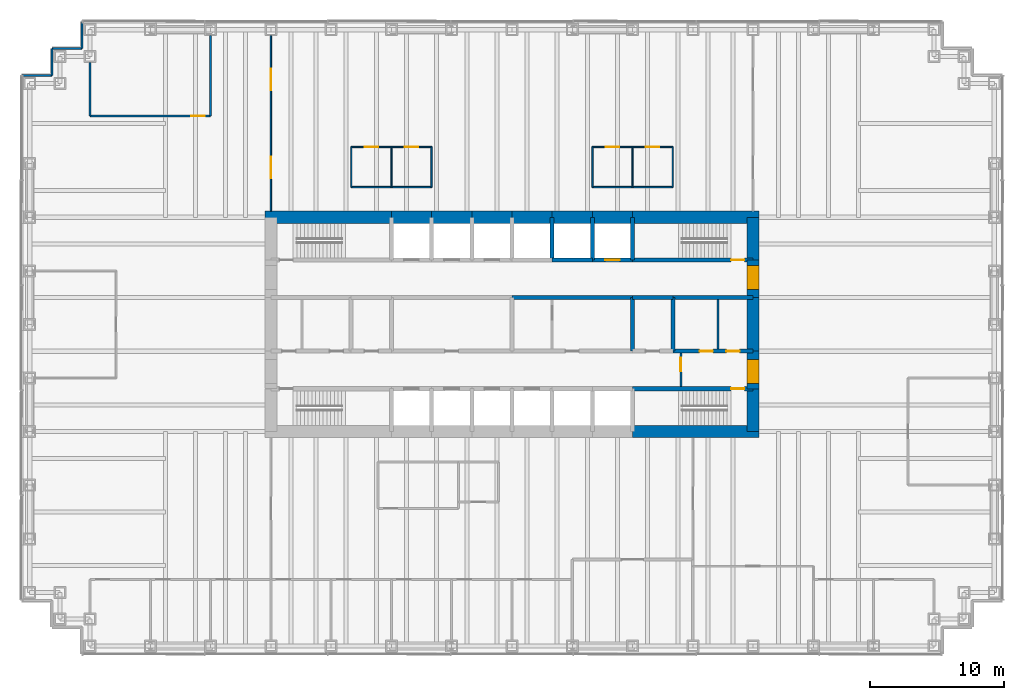
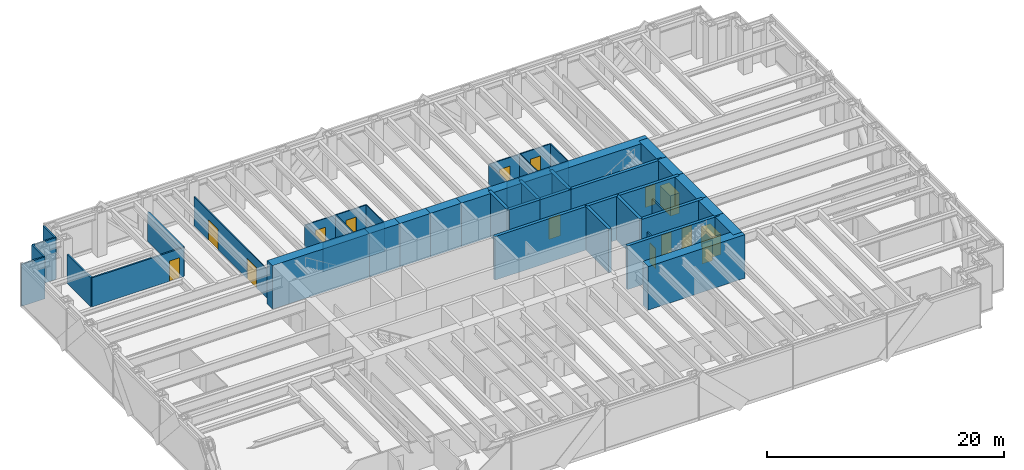
# One storey, part 11 of 13: 47 walls, 15 doors, 15 openings.
"""IFC4 building model written with IfcOpenShell, lengths in metres."""

from ifc_helpers import new_model, si_unit, direction, frame, frame_2d, origin, place, context, subcontext, project, spatial, rectangle, extrude, material, layer, layer_set, type_object, element, fill, save


model = new_model("IFC4")

# Units and contexts
model_context = context("Model", 3, precision=1e-05, world=origin(), true_north=direction((0.0, 1.0)))
body_context = subcontext(model_context, "Body", "Model", "MODEL_VIEW")
ifc_project = project(units=[si_unit("LENGTHUNIT", "METRE"), si_unit("AREAUNIT", "SQUARE_METRE"), si_unit("VOLUMEUNIT", "CUBIC_METRE"), si_unit("PLANEANGLEUNIT", "RADIAN"), si_unit("MASSUNIT", "GRAM", prefix="KILO")], contexts=[model_context])

# Site, building, storey
site_placement = place(None, origin())
site = spatial("IfcSite", under=ifc_project, at=site_placement, CompositionType="ELEMENT")
building_placement = place(site_placement, origin())
building = spatial("IfcBuilding", under=site, at=building_placement, Name="Rheinbord Bourse Tower", CompositionType="ELEMENT")
storey_placement = place(building_placement, frame((0.0, 0.0, 86.0)))
storey = spatial("IfcBuildingStorey", under=building, at=storey_placement, Name="L18", CompositionType="ELEMENT", Elevation=86.0)

# Wall, opening, door
ifc_material_1 = material(Name="Concrete C50/60", Category="concrete")
ifc_layer_1 = layer(ifc_material_1, 0.300048828125)
ifc_layer_set_1 = layer_set([ifc_layer_1], Name="CORE INNER WALL 300")
wall_type_1 = type_object("IfcWallType", Name="CORE INNER WALL 300", PredefinedType="SOLIDWALL", material=ifc_layer_set_1)
wall_1_placement = place(storey_placement, frame((45.0, 19.199951171875, 0.0), z_axis=(0.0, 0.0, 1.0), x_axis=(1.0, 0.0, 0.0)))
wall_1 = element("IfcWall", 1, at=wall_1_placement, inside=storey, type_object=wall_type_1, Name="Core wall A8 L18", PredefinedType="SOLIDWALL", context=body_context, shape_type="SweptSolid", body=[
    extrude(rectangle(XDim=9.0, YDim=0.300048828125, at=frame_2d((4.5, 0.0))), origin(), (0.0, 0.0, 1.0), 4.5),
])
opening_1_placement = place(wall_1_placement, frame((7.35009765625, 0.0, 0.0)))
opening_1 = element("IfcOpeningElement", 2, at=opening_1_placement, cuts=wall_1, Name="Opening 1830", PredefinedType="OPENING", context=body_context, shape_type="SweptSolid", body=[
    extrude(rectangle(XDim=1.0, YDim=2.10009765625, at=frame_2d((0.5, 1.050048828125))), frame((0.0, 0.159912109375, 0.0), z_axis=(0.0, -1.0, 0.0), x_axis=(1.0, 0.0, 0.0)), (0.0, 0.0, 1.0), 0.320068359375),
])
ifc_material_2 = material(Name="Steel door", Category="steel")
door_type_1 = type_object("IfcDoorType", Name="DOOR 1000 EI30", OperationType="SINGLE_SWING_LEFT", PredefinedType="DOOR", material=ifc_material_2)
door_1_placement = place(opening_1_placement, origin())
door_1 = element("IfcDoor", 3, at=door_1_placement, inside=storey, type_object=door_type_1, Name="Stair door ST3 L18", OperationType="SINGLE_SWING_RIGHT", OverallHeight=2.10009765625, OverallWidth=1.0, PredefinedType="DOOR", context=body_context, shape_type="SweptSolid", body=[
    extrude(rectangle(XDim=1.0, YDim=2.10009765625, at=frame_2d((0.5, 1.050048828125))), frame((0.0, 0.02490234375, 0.0), z_axis=(0.0, -1.0, 0.0), x_axis=(1.0, 0.0, 0.0)), (0.0, 0.0, 1.0), 0.050048828125),
])
fill(opening_1, door_1)

# Wall
wall_2_placement = place(storey_placement, frame((39.0, 28.800048828125, 0.0), z_axis=(0.0, 0.0, 1.0), x_axis=(1.0, 0.0, 0.0)))
element("IfcWall", 4, at=wall_2_placement, inside=storey, type_object=wall_type_1, Name="Core wall B6 L18", PredefinedType="SOLIDWALL", context=body_context, shape_type="SweptSolid", body=[
    extrude(rectangle(XDim=3.0, YDim=0.300048828125, at=frame_2d((1.5, 0.0))), origin(), (0.0, 0.0, 1.0), 4.5),
])

# Wall, opening, door
wall_3_placement = place(storey_placement, frame((42.0, 28.800048828125, 0.0), z_axis=(0.0, 0.0, 1.0), x_axis=(1.0, 0.0, 0.0)))
wall_3 = element("IfcWall", 5, at=wall_3_placement, inside=storey, type_object=wall_type_1, Name="Core wall B7 L18", PredefinedType="SOLIDWALL", context=body_context, shape_type="SweptSolid", body=[
    extrude(rectangle(XDim=3.0, YDim=0.300048828125, at=frame_2d((1.5, 0.0))), origin(), (0.0, 0.0, 1.0), 4.5),
])
opening_2_placement = place(wall_3_placement, frame((0.949951171875, 0.0, 0.0)))
opening_2 = element("IfcOpeningElement", 6, at=opening_2_placement, cuts=wall_3, Name="Opening FL2", PredefinedType="OPENING", context=body_context, shape_type="SweptSolid", body=[
    extrude(rectangle(XDim=1.10009765625, YDim=2.199951171875, at=frame_2d((0.550048828125, 1.10009765625))), frame((0.0, 0.159912109375, 0.0), z_axis=(0.0, -1.0, 0.0), x_axis=(1.0, 0.0, 0.0)), (0.0, 0.0, 1.0), 0.320068359375),
])
ifc_material_3 = material(Name="Steel landing door", Category="steel")
door_type_2 = type_object("IfcDoorType", Name="LIFT LANDING DOOR 1100", OperationType="DOUBLE_DOOR_SLIDING", PredefinedType="USERDEFINED", material=ifc_material_3)
door_2_placement = place(opening_2_placement, origin())
door_2 = element("IfcDoor", 7, at=door_2_placement, inside=storey, type_object=door_type_2, Name="Lift landing door FL2 L18", ObjectType="LIFT LANDING DOOR", OperationType="DOUBLE_DOOR_SLIDING", OverallHeight=2.199951171875, OverallWidth=1.10009765625, PredefinedType="USERDEFINED", context=body_context, shape_type="SweptSolid", body=[
    extrude(rectangle(XDim=1.10009765625, YDim=2.199951171875, at=frame_2d((0.550048828125, 1.10009765625))), frame((0.0, 0.02490234375, 0.0), z_axis=(0.0, -1.0, 0.0), x_axis=(1.0, 0.0, 0.0)), (0.0, 0.0, 1.0), 0.050048828125),
])
fill(opening_2, door_2)

wall_4_placement = place(storey_placement, frame((45.0, 28.800048828125, 0.0), z_axis=(0.0, 0.0, 1.0), x_axis=(1.0, 0.0, 0.0)))
wall_4 = element("IfcWall", 8, at=wall_4_placement, inside=storey, type_object=wall_type_1, Name="Core wall B8 L18", PredefinedType="SOLIDWALL", context=body_context, shape_type="SweptSolid", body=[
    extrude(rectangle(XDim=9.0, YDim=0.300048828125, at=frame_2d((4.5, 0.0))), origin(), (0.0, 0.0, 1.0), 4.5),
])
opening_3_placement = place(wall_4_placement, frame((7.35009765625, 0.0, 0.0)))
opening_3 = element("IfcOpeningElement", 9, at=opening_3_placement, cuts=wall_4, Name="Opening 1840", PredefinedType="OPENING", context=body_context, shape_type="SweptSolid", body=[
    extrude(rectangle(XDim=1.0, YDim=2.10009765625, at=frame_2d((0.5, 1.050048828125))), frame((0.0, 0.159912109375, 0.0), z_axis=(0.0, -1.0, 0.0), x_axis=(1.0, 0.0, 0.0)), (0.0, 0.0, 1.0), 0.320068359375),
])
door_3_placement = place(opening_3_placement, origin())
door_3 = element("IfcDoor", 10, at=door_3_placement, inside=storey, type_object=door_type_1, Name="Stair door ST4 L18", OperationType="SINGLE_SWING_RIGHT", OverallHeight=2.10009765625, OverallWidth=1.0, PredefinedType="DOOR", context=body_context, shape_type="SweptSolid", body=[
    extrude(rectangle(XDim=1.0, YDim=2.10009765625, at=frame_2d((0.5, 1.050048828125))), frame((0.0, 0.02490234375, 0.0), z_axis=(0.0, -1.0, 0.0), x_axis=(1.0, 0.0, 0.0)), (0.0, 0.0, 1.0), 0.050048828125),
])
fill(opening_3, door_3)

# Wall, openings, doors
wall_5_placement = place(storey_placement, frame((48.0, 22.0, 0.0), z_axis=(0.0, 0.0, 1.0), x_axis=(1.0, 0.0, 0.0)))
wall_5 = element("IfcWall", 11, at=wall_5_placement, inside=storey, type_object=wall_type_1, Name="Core wall C6 L18", PredefinedType="SOLIDWALL", context=body_context, shape_type="SweptSolid", body=[
    extrude(rectangle(XDim=6.0, YDim=0.300048828125, at=frame_2d((3.0, 0.0))), origin(), (0.0, 0.0, 1.0), 4.5),
])
opening_4_placement = place(wall_5_placement, frame((2.0, 0.0, 0.0)))
opening_4 = element("IfcOpeningElement", 12, at=opening_4_placement, cuts=wall_5, Name="Opening 18R6", PredefinedType="OPENING", context=body_context, shape_type="SweptSolid", body=[
    extrude(rectangle(XDim=1.0, YDim=2.10009765625, at=frame_2d((0.5, 1.050048828125))), frame((0.0, 0.159912109375, 0.0), z_axis=(0.0, -1.0, 0.0), x_axis=(1.0, 0.0, 0.0)), (0.0, 0.0, 1.0), 0.320068359375),
])
opening_5_placement = place(wall_5_placement, frame((4.0, 0.0, 0.0)))
opening_5 = element("IfcOpeningElement", 13, at=opening_5_placement, cuts=wall_5, Name="Opening 18R10", PredefinedType="OPENING", context=body_context, shape_type="SweptSolid", body=[
    extrude(rectangle(XDim=1.0, YDim=2.10009765625, at=frame_2d((0.5, 1.050048828125))), frame((0.0, 0.159912109375, 0.0), z_axis=(0.0, -1.0, 0.0), x_axis=(1.0, 0.0, 0.0)), (0.0, 0.0, 1.0), 0.320068359375),
])
door_4_placement = place(opening_5_placement, origin())
door_4 = element("IfcDoor", 14, at=door_4_placement, inside=storey, type_object=door_type_1, Name="Staff shower door L18", OperationType="SINGLE_SWING_RIGHT", OverallHeight=2.10009765625, OverallWidth=1.0, PredefinedType="DOOR", context=body_context, shape_type="SweptSolid", body=[
    extrude(rectangle(XDim=1.0, YDim=2.10009765625, at=frame_2d((0.5, 1.050048828125))), frame((0.0, 0.02490234375, 0.0), z_axis=(0.0, -1.0, 0.0), x_axis=(1.0, 0.0, 0.0)), (0.0, 0.0, 1.0), 0.050048828125),
])
fill(opening_5, door_4)
ifc_material_4 = material(Name="Timber door", Category="wood")
door_type_3 = type_object("IfcDoorType", Name="DOOR 1000 WC", OperationType="SINGLE_SWING_LEFT", PredefinedType="DOOR", material=ifc_material_4)
door_5_placement = place(opening_4_placement, origin())
door_5 = element("IfcDoor", 15, at=door_5_placement, inside=storey, type_object=door_type_3, Name="WC women door L18", OperationType="SINGLE_SWING_LEFT", OverallHeight=2.10009765625, OverallWidth=1.0, PredefinedType="DOOR", context=body_context, shape_type="SweptSolid", body=[
    extrude(rectangle(XDim=1.0, YDim=2.10009765625, at=frame_2d((0.5, 1.050048828125))), frame((0.0, 0.02490234375, 0.0), z_axis=(0.0, -1.0, 0.0), x_axis=(1.0, 0.0, 0.0)), (0.0, 0.0, 1.0), 0.050048828125),
])
fill(opening_4, door_5)

# Walls
wall_6_placement = place(storey_placement, frame((36.0, 26.0, 0.0), z_axis=(0.0, 0.0, 1.0), x_axis=(1.0, 0.0, 0.0)))
element("IfcWall", 16, at=wall_6_placement, inside=storey, type_object=wall_type_1, Name="Core wall D4 L18", PredefinedType="SOLIDWALL", context=body_context, shape_type="SweptSolid", body=[
    extrude(rectangle(XDim=9.0, YDim=0.300048828125, at=frame_2d((4.5, 0.0))), origin(), (0.0, 0.0, 1.0), 4.5),
])
wall_7_placement = place(storey_placement, frame((45.0, 26.0, 0.0), z_axis=(0.0, 0.0, 1.0), x_axis=(1.0, 0.0, 0.0)))
element("IfcWall", 17, at=wall_7_placement, inside=storey, type_object=wall_type_1, Name="Core wall D5 L18", PredefinedType="SOLIDWALL", context=body_context, shape_type="SweptSolid", body=[
    extrude(rectangle(XDim=3.0, YDim=0.300048828125, at=frame_2d((1.5, 0.0))), origin(), (0.0, 0.0, 1.0), 4.5),
])
wall_8_placement = place(storey_placement, frame((48.0, 26.0, 0.0), z_axis=(0.0, 0.0, 1.0), x_axis=(1.0, 0.0, 0.0)))
element("IfcWall", 18, at=wall_8_placement, inside=storey, type_object=wall_type_1, Name="Core wall D6 L18", PredefinedType="SOLIDWALL", context=body_context, shape_type="SweptSolid", body=[
    extrude(rectangle(XDim=6.0, YDim=0.300048828125, at=frame_2d((3.0, 0.0))), origin(), (0.0, 0.0, 1.0), 4.5),
])
for number, where, z_axis, x_axis, name in (
    (19, (39.0, 28.800048828125, 0.0), (0.0, 0.0, 1.0), (0.0, 1.0, 0.0), "Core wall NX39 L18"),
    (20, (42.0, 28.800048828125, 0.0), (0.0, 0.0, 1.0), (0.0, 1.0, 0.0), "Core wall NX42 L18"),
    (21, (45.0, 28.800048828125, 0.0), (0.0, 0.0, 1.0), (0.0, 1.0, 0.0), "Core wall NX45 L18"),
):
    element("IfcWall", number, at=place(storey_placement, frame(where, z_axis=z_axis, x_axis=x_axis)), inside=storey, type_object=wall_type_1, Name=name, PredefinedType="SOLIDWALL", context=body_context, shape_type="SweptSolid", body=[
        extrude(rectangle(XDim=3.199951171875, YDim=0.300048828125, at=frame_2d((1.60009765625, 0.0))), origin(), (0.0, 0.0, 1.0), 4.5),
    ])
for number, where, z_axis, x_axis, name in (
    (22, (45.0, 22.0, 0.0), (0.0, 0.0, 1.0), (0.0, 1.0, 0.0), "Core wall MX45 L18"),
    (23, (48.0, 22.0, 0.0), (0.0, 0.0, 1.0), (0.0, 1.0, 0.0), "Core wall MX48 L18"),
):
    element("IfcWall", number, at=place(storey_placement, frame(where, z_axis=z_axis, x_axis=x_axis)), inside=storey, type_object=wall_type_1, Name=name, PredefinedType="SOLIDWALL", context=body_context, shape_type="SweptSolid", body=[
        extrude(rectangle(XDim=4.0, YDim=0.300048828125, at=frame_2d((2.0, 0.0))), origin(), (0.0, 0.0, 1.0), 4.5),
    ])
ifc_material_5 = material(Name="Gypsum board fire partition", Category="gypsum board")
ifc_layer_2 = layer(ifc_material_5, 0.14990234375)
ifc_layer_set_2 = layer_set([ifc_layer_2], Name="CORE PARTITION 150 EI30")
wall_type_2 = type_object("IfcWallType", Name="CORE PARTITION 150 EI30", PredefinedType="PARTITIONING", material=ifc_layer_set_2)
wall_9_placement = place(storey_placement, frame((51.375, 22.14990234375, 0.0), z_axis=(0.0, 0.0, 1.0), x_axis=(0.0, 1.0, 0.0)))
element("IfcWall", 24, at=wall_9_placement, inside=storey, type_object=wall_type_2, Name="Core partition L18-3", PredefinedType="PARTITIONING", context=body_context, shape_type="SweptSolid", body=[
    extrude(rectangle(XDim=3.7001953125, YDim=0.14990234375, at=frame_2d((1.85009765625, 0.0))), origin(), (0.0, 0.0, 1.0), 3.0),
])

# Wall, opening, door
wall_10_placement = place(storey_placement, frame((48.60009765625, 19.35009765625, 0.0), z_axis=(0.0, 0.0, 1.0), x_axis=(0.0, 1.0, 0.0)))
wall_10 = element("IfcWall", 25, at=wall_10_placement, inside=storey, type_object=wall_type_2, Name="Core partition L18-4", PredefinedType="PARTITIONING", context=body_context, shape_type="SweptSolid", body=[
    extrude(rectangle(XDim=2.5, YDim=0.14990234375, at=frame_2d((1.25, 0.0))), origin(), (0.0, 0.0, 1.0), 3.0),
])
opening_6_placement = place(wall_10_placement, frame((1.14990234375, 0.0, 0.0)))
opening_6 = element("IfcOpeningElement", 26, at=opening_6_placement, cuts=wall_10, Name="Opening 18L5", PredefinedType="OPENING", context=body_context, shape_type="SweptSolid", body=[
    extrude(rectangle(XDim=1.0, YDim=2.10009765625, at=frame_2d((0.5, 1.050048828125))), frame((0.0, 0.0849609375, 0.0), z_axis=(0.0, -1.0, 0.0), x_axis=(1.0, 0.0, 0.0)), (0.0, 0.0, 1.0), 0.169921875),
])
door_6_placement = place(opening_6_placement, origin())
door_6 = element("IfcDoor", 27, at=door_6_placement, inside=storey, type_object=door_type_1, Name="Stair lobby door L18", OperationType="SINGLE_SWING_RIGHT", OverallHeight=2.10009765625, OverallWidth=1.0, PredefinedType="DOOR", context=body_context, shape_type="SweptSolid", body=[
    extrude(rectangle(XDim=1.0, YDim=2.10009765625, at=frame_2d((0.5, 1.050048828125))), frame((0.0, 0.02490234375, 0.0), z_axis=(0.0, -1.0, 0.0), x_axis=(1.0, 0.0, 0.0)), (0.0, 0.0, 1.0), 0.050048828125),
])
fill(opening_6, door_6)

# Walls
ifc_material_6 = material(Name="Concrete C50/60", Category="concrete")
ifc_layer_3 = layer(ifc_material_6, 0.89990234375)
ifc_layer_set_3 = layer_set([ifc_layer_3], Name="CORE WALL 900")
wall_type_3 = type_object("IfcWallType", Name="CORE WALL 900", PredefinedType="SHEAR", material=ifc_layer_set_3)
for number, where, z_axis, x_axis, name in (
    (28, (45.0, 16.0, 0.0), (0.0, 0.0, 1.0), (1.0, 0.0, 0.0), "Core wall S8 L18"),
    (29, (54.449951171875, 32.0, 0.0), (0.0, 0.0, 1.0), (-1.0, 0.0, 0.0), "Core wall N1 L18"),
):
    element("IfcWall", number, at=place(storey_placement, frame(where, z_axis=z_axis, x_axis=x_axis)), inside=storey, type_object=wall_type_3, Name=name, PredefinedType="SHEAR", context=body_context, shape_type="SweptSolid", body=[
        extrude(rectangle(XDim=9.449951171875, YDim=0.89990234375, at=frame_2d((4.72509765625, 0.0))), origin(), (0.0, 0.0, 1.0), 4.5),
    ])
for number, where, z_axis, x_axis, name in (
    (30, (45.0, 32.0, 0.0), (0.0, 0.0, 1.0), (-1.0, 0.0, 0.0), "Core wall N2 L18"),
    (31, (42.0, 32.0, 0.0), (0.0, 0.0, 1.0), (-1.0, 0.0, 0.0), "Core wall N3 L18"),
    (32, (39.0, 32.0, 0.0), (0.0, 0.0, 1.0), (-1.0, 0.0, 0.0), "Core wall N4 L18"),
    (33, (36.0, 32.0, 0.0), (0.0, 0.0, 1.0), (-1.0, 0.0, 0.0), "Core wall N5 L18"),
    (34, (33.0, 32.0, 0.0), (0.0, 0.0, 1.0), (-1.0, 0.0, 0.0), "Core wall N6 L18"),
    (35, (30.0, 32.0, 0.0), (0.0, 0.0, 1.0), (-1.0, 0.0, 0.0), "Core wall N7 L18"),
):
    element("IfcWall", number, at=place(storey_placement, frame(where, z_axis=z_axis, x_axis=x_axis)), inside=storey, type_object=wall_type_3, Name=name, PredefinedType="SHEAR", context=body_context, shape_type="SweptSolid", body=[
        extrude(rectangle(XDim=3.0, YDim=0.89990234375, at=frame_2d((1.5, 0.0))), origin(), (0.0, 0.0, 1.0), 4.5),
    ])
wall_11_placement = place(storey_placement, frame((27.0, 32.0, 0.0), z_axis=(0.0, 0.0, 1.0), x_axis=(-1.0, 0.0, 0.0)))
element("IfcWall", 36, at=wall_11_placement, inside=storey, type_object=wall_type_3, Name="Core wall N8 L18", PredefinedType="SHEAR", context=body_context, shape_type="SweptSolid", body=[
    extrude(rectangle(XDim=9.449951171875, YDim=0.89990234375, at=frame_2d((4.72509765625, 0.0))), origin(), (0.0, 0.0, 1.0), 4.5),
])
wall_12_placement = place(storey_placement, frame((54.0, 16.0, 0.0), z_axis=(0.0, 0.0, 1.0), x_axis=(0.0, 1.0, 0.0)))
element("IfcWall", 37, at=wall_12_placement, inside=storey, type_object=wall_type_3, Name="Core wall E1 L18", PredefinedType="SHEAR", context=body_context, shape_type="SweptSolid", body=[
    extrude(rectangle(XDim=3.199951171875, YDim=0.89990234375, at=frame_2d((1.60009765625, 0.0))), origin(), (0.0, 0.0, 1.0), 4.5),
])

# Wall, opening, door
wall_13_placement = place(storey_placement, frame((54.0, 19.199951171875, 0.0), z_axis=(0.0, 0.0, 1.0), x_axis=(0.0, 1.0, 0.0)))
wall_13 = element("IfcWall", 38, at=wall_13_placement, inside=storey, type_object=wall_type_3, Name="Core wall E2 L18", PredefinedType="SHEAR", context=body_context, shape_type="SweptSolid", body=[
    extrude(rectangle(XDim=2.800048828125, YDim=0.89990234375, at=frame_2d((1.39990234375, 0.0))), origin(), (0.0, 0.0, 1.0), 4.5),
])
opening_7_placement = place(wall_13_placement, frame((0.39990234375, 0.0, 0.0)))
opening_7 = element("IfcOpeningElement", 39, at=opening_7_placement, cuts=wall_13, Name="Opening 18L3", PredefinedType="OPENING", context=body_context, shape_type="SweptSolid", body=[
    extrude(rectangle(XDim=1.800048828125, YDim=2.10009765625, at=frame_2d((0.89990234375, 1.050048828125))), frame((0.0, 0.4599609375, 0.0), z_axis=(0.0, -1.0, 0.0), x_axis=(1.0, 0.0, 0.0)), (0.0, 0.0, 1.0), 0.919921875),
])
ifc_material_7 = material(Name="Steel door", Category="steel")
door_type_4 = type_object("IfcDoorType", Name="DOOR 1800 EI30 DOUBLE", OperationType="DOUBLE_DOOR_DOUBLE_SWING", PredefinedType="DOOR", material=ifc_material_7)
door_7_placement = place(opening_7_placement, origin())
door_7 = element("IfcDoor", 40, at=door_7_placement, inside=storey, type_object=door_type_4, Name="Lobby door 3 L18", OperationType="SINGLE_SWING_LEFT", OverallHeight=2.10009765625, OverallWidth=1.800048828125, PredefinedType="DOOR", context=body_context, shape_type="SweptSolid", body=[
    extrude(rectangle(XDim=1.800048828125, YDim=2.10009765625, at=frame_2d((0.89990234375, 1.050048828125))), frame((0.0, 0.44970703125, 0.0), z_axis=(0.0, -1.0, 0.0), x_axis=(1.0, 0.0, 0.0)), (0.0, 0.0, 1.0), 0.8994140625),
])
fill(opening_7, door_7)

# Wall
wall_14_placement = place(storey_placement, frame((54.0, 22.0, 0.0), z_axis=(0.0, 0.0, 1.0), x_axis=(0.0, 1.0, 0.0)))
element("IfcWall", 41, at=wall_14_placement, inside=storey, type_object=wall_type_3, Name="Core wall E3 L18", PredefinedType="SHEAR", context=body_context, shape_type="SweptSolid", body=[
    extrude(rectangle(XDim=4.0, YDim=0.89990234375, at=frame_2d((2.0, 0.0))), origin(), (0.0, 0.0, 1.0), 4.5),
])

# Wall, opening, door
wall_15_placement = place(storey_placement, frame((54.0, 26.0, 0.0), z_axis=(0.0, 0.0, 1.0), x_axis=(0.0, 1.0, 0.0)))
wall_15 = element("IfcWall", 42, at=wall_15_placement, inside=storey, type_object=wall_type_3, Name="Core wall E4 L18", PredefinedType="SHEAR", context=body_context, shape_type="SweptSolid", body=[
    extrude(rectangle(XDim=2.800048828125, YDim=0.89990234375, at=frame_2d((1.39990234375, 0.0))), origin(), (0.0, 0.0, 1.0), 4.5),
])
opening_8_placement = place(wall_15_placement, frame((0.60009765625, 0.0, 0.0)))
opening_8 = element("IfcOpeningElement", 43, at=opening_8_placement, cuts=wall_15, Name="Opening 18L4", PredefinedType="OPENING", context=body_context, shape_type="SweptSolid", body=[
    extrude(rectangle(XDim=1.800048828125, YDim=2.10009765625, at=frame_2d((0.89990234375, 1.050048828125))), frame((0.0, 0.4599609375, 0.0), z_axis=(0.0, -1.0, 0.0), x_axis=(1.0, 0.0, 0.0)), (0.0, 0.0, 1.0), 0.919921875),
])
door_8_placement = place(opening_8_placement, origin())
door_8 = element("IfcDoor", 44, at=door_8_placement, inside=storey, type_object=door_type_4, Name="Lobby door 4 L18", OperationType="SINGLE_SWING_LEFT", OverallHeight=2.10009765625, OverallWidth=1.800048828125, PredefinedType="DOOR", context=body_context, shape_type="SweptSolid", body=[
    extrude(rectangle(XDim=1.800048828125, YDim=2.10009765625, at=frame_2d((0.89990234375, 1.050048828125))), frame((0.0, 0.44970703125, 0.0), z_axis=(0.0, -1.0, 0.0), x_axis=(1.0, 0.0, 0.0)), (0.0, 0.0, 1.0), 0.8994140625),
])
fill(opening_8, door_8)

# Walls
wall_16_placement = place(storey_placement, frame((54.0, 28.800048828125, 0.0), z_axis=(0.0, 0.0, 1.0), x_axis=(0.0, 1.0, 0.0)))
element("IfcWall", 45, at=wall_16_placement, inside=storey, type_object=wall_type_3, Name="Core wall E5 L18", PredefinedType="SHEAR", context=body_context, shape_type="SweptSolid", body=[
    extrude(rectangle(XDim=3.199951171875, YDim=0.89990234375, at=frame_2d((1.60009765625, 0.0))), origin(), (0.0, 0.0, 1.0), 4.5),
])
ifc_material_8 = material(Name="Black metal rainscreen panel", Category="aluminium")
ifc_layer_4 = layer(ifc_material_8, 0.14990234375)
ifc_layer_set_4 = layer_set([ifc_layer_4], Name="CORNER PIER CLADDING 150")
wall_type_4 = type_object("IfcWallType", Name="CORNER PIER CLADDING 150", PredefinedType="ELEMENTEDWALL", material=ifc_layer_set_4)
wall_17_placement = place(storey_placement, frame((3.89990234375, 46.60009765625, 0.0), z_axis=(0.0, 0.0, 1.0), x_axis=(0.0, -1.0, 0.0)))
element("IfcWall", 46, at=wall_17_placement, inside=storey, type_object=wall_type_4, Name="Corner pier cladding L18 12", PredefinedType="ELEMENTEDWALL", context=body_context, shape_type="SweptSolid", body=[
    extrude(rectangle(XDim=2.0, YDim=0.14990234375, at=frame_2d((1.0, 0.0))), origin(), (0.0, 0.0, 1.0), 4.320068359375),
])
wall_18_placement = place(storey_placement, frame((3.89990234375, 44.60009765625, 0.0), z_axis=(0.0, 0.0, 1.0), x_axis=(-1.0, 0.0, 0.0)))
element("IfcWall", 47, at=wall_18_placement, inside=storey, type_object=wall_type_4, Name="Corner pier cladding L18 13", PredefinedType="ELEMENTEDWALL", context=body_context, shape_type="SweptSolid", body=[
    extrude(rectangle(XDim=2.25, YDim=0.14990234375, at=frame_2d((1.125, 0.0))), origin(), (0.0, 0.0, 1.0), 4.320068359375),
])
wall_19_placement = place(storey_placement, frame((1.64990234375, 44.60009765625, 0.0), z_axis=(0.0, 0.0, 1.0), x_axis=(0.0, -1.0, 0.0)))
element("IfcWall", 48, at=wall_19_placement, inside=storey, type_object=wall_type_4, Name="Corner pier cladding L18 14", PredefinedType="ELEMENTEDWALL", context=body_context, shape_type="SweptSolid", body=[
    extrude(rectangle(XDim=2.0, YDim=0.14990234375, at=frame_2d((1.0, 0.0))), origin(), (0.0, 0.0, 1.0), 4.320068359375),
])
wall_20_placement = place(storey_placement, frame((1.64990234375, 42.60009765625, 0.0), z_axis=(0.0, 0.0, 1.0), x_axis=(-1.0, 0.0, 0.0)))
element("IfcWall", 49, at=wall_20_placement, inside=storey, type_object=wall_type_4, Name="Corner pier cladding L18 15", PredefinedType="ELEMENTEDWALL", context=body_context, shape_type="SweptSolid", body=[
    extrude(rectangle(XDim=2.25, YDim=0.14990234375, at=frame_2d((1.125, 0.0))), origin(), (0.0, 0.0, 1.0), 4.320068359375),
])
ifc_material_9 = material(Name="Toughened laminated glass partition", Category="glass")
ifc_layer_5 = layer(ifc_material_9, 0.10009765625)
ifc_layer_set_5 = layer_set([ifc_layer_5], Name="GLAZED PARTITION 100")
wall_type_5 = type_object("IfcWallType", Name="GLAZED PARTITION 100", PredefinedType="PARTITIONING", material=ifc_layer_set_5)
for number, where, z_axis, x_axis, name in (
    (50, (24.0, 34.25, 0.0), (0.0, 0.0, 1.0), (1.0, 0.0, 0.0), "Partition L18-13"),
    (51, (42.0, 34.25, 0.0), (0.0, 0.0, 1.0), (1.0, 0.0, 0.0), "Partition L18-14"),
):
    element("IfcWall", number, at=place(storey_placement, frame(where, z_axis=z_axis, x_axis=x_axis)), inside=storey, type_object=wall_type_5, Name=name, PredefinedType="PARTITIONING", context=body_context, shape_type="SweptSolid", body=[
        extrude(rectangle(XDim=6.0, YDim=0.10009765625, at=frame_2d((3.0, 0.0))), origin(), (0.0, 0.0, 1.0), 3.0),
    ])

# Wall, openings, doors
wall_21_placement = place(storey_placement, frame((24.0, 37.25, 0.0), z_axis=(0.0, 0.0, 1.0), x_axis=(1.0, 0.0, 0.0)))
wall_21 = element("IfcWall", 52, at=wall_21_placement, inside=storey, type_object=wall_type_5, Name="Partition L18-15", PredefinedType="PARTITIONING", context=body_context, shape_type="SweptSolid", body=[
    extrude(rectangle(XDim=6.0, YDim=0.10009765625, at=frame_2d((3.0, 0.0))), origin(), (0.0, 0.0, 1.0), 3.0),
])
opening_9_placement = place(wall_21_placement, frame((1.0, 0.0, 0.0)))
opening_9 = element("IfcOpeningElement", 53, at=opening_9_placement, cuts=wall_21, Name="Opening 18D17", PredefinedType="OPENING", context=body_context, shape_type="SweptSolid", body=[
    extrude(rectangle(XDim=1.0, YDim=2.10009765625, at=frame_2d((0.5, 1.050048828125))), frame((0.0, 0.06005859375, 0.0), z_axis=(0.0, -1.0, 0.0), x_axis=(1.0, 0.0, 0.0)), (0.0, 0.0, 1.0), 0.1201171875),
])
opening_10_placement = place(wall_21_placement, frame((4.0, 0.0, 0.0)))
opening_10 = element("IfcOpeningElement", 54, at=opening_10_placement, cuts=wall_21, Name="Opening 18D18", PredefinedType="OPENING", context=body_context, shape_type="SweptSolid", body=[
    extrude(rectangle(XDim=1.0, YDim=2.10009765625, at=frame_2d((0.5, 1.050048828125))), frame((0.0, 0.06005859375, 0.0), z_axis=(0.0, -1.0, 0.0), x_axis=(1.0, 0.0, 0.0)), (0.0, 0.0, 1.0), 0.1201171875),
])
ifc_material_10 = material(Name="Timber door", Category="wood")
door_type_5 = type_object("IfcDoorType", Name="ROOM DOOR 1000", OperationType="SINGLE_SWING_LEFT", PredefinedType="DOOR", material=ifc_material_10)
door_9_placement = place(opening_9_placement, origin())
door_9 = element("IfcDoor", 55, at=door_9_placement, inside=storey, type_object=door_type_5, Name="Quiet room door L18", OperationType="SINGLE_SWING_LEFT", OverallHeight=2.10009765625, OverallWidth=1.0, PredefinedType="DOOR", context=body_context, shape_type="SweptSolid", body=[
    extrude(rectangle(XDim=1.0, YDim=2.10009765625, at=frame_2d((0.5, 1.050048828125))), frame((0.0, 0.02490234375, 0.0), z_axis=(0.0, -1.0, 0.0), x_axis=(1.0, 0.0, 0.0)), (0.0, 0.0, 1.0), 0.050048828125),
])
fill(opening_9, door_9)
door_10_placement = place(opening_10_placement, origin())
door_10 = element("IfcDoor", 56, at=door_10_placement, inside=storey, type_object=door_type_5, Name="Quiet room door L18", OperationType="SINGLE_SWING_RIGHT", OverallHeight=2.10009765625, OverallWidth=1.0, PredefinedType="DOOR", context=body_context, shape_type="SweptSolid", body=[
    extrude(rectangle(XDim=1.0, YDim=2.10009765625, at=frame_2d((0.5, 1.050048828125))), frame((0.0, 0.02490234375, 0.0), z_axis=(0.0, -1.0, 0.0), x_axis=(1.0, 0.0, 0.0)), (0.0, 0.0, 1.0), 0.050048828125),
])
fill(opening_10, door_10)

wall_22_placement = place(storey_placement, frame((42.0, 37.25, 0.0), z_axis=(0.0, 0.0, 1.0), x_axis=(1.0, 0.0, 0.0)))
wall_22 = element("IfcWall", 57, at=wall_22_placement, inside=storey, type_object=wall_type_5, Name="Partition L18-16", PredefinedType="PARTITIONING", context=body_context, shape_type="SweptSolid", body=[
    extrude(rectangle(XDim=6.0, YDim=0.10009765625, at=frame_2d((3.0, 0.0))), origin(), (0.0, 0.0, 1.0), 3.0),
])
opening_11_placement = place(wall_22_placement, frame((1.0, 0.0, 0.0)))
opening_11 = element("IfcOpeningElement", 58, at=opening_11_placement, cuts=wall_22, Name="Opening 18D19", PredefinedType="OPENING", context=body_context, shape_type="SweptSolid", body=[
    extrude(rectangle(XDim=1.0, YDim=2.10009765625, at=frame_2d((0.5, 1.050048828125))), frame((0.0, 0.06005859375, 0.0), z_axis=(0.0, -1.0, 0.0), x_axis=(1.0, 0.0, 0.0)), (0.0, 0.0, 1.0), 0.1201171875),
])
opening_12_placement = place(wall_22_placement, frame((4.0, 0.0, 0.0)))
opening_12 = element("IfcOpeningElement", 59, at=opening_12_placement, cuts=wall_22, Name="Opening 18D20", PredefinedType="OPENING", context=body_context, shape_type="SweptSolid", body=[
    extrude(rectangle(XDim=1.0, YDim=2.10009765625, at=frame_2d((0.5, 1.050048828125))), frame((0.0, 0.06005859375, 0.0), z_axis=(0.0, -1.0, 0.0), x_axis=(1.0, 0.0, 0.0)), (0.0, 0.0, 1.0), 0.1201171875),
])
door_11_placement = place(opening_11_placement, origin())
door_11 = element("IfcDoor", 60, at=door_11_placement, inside=storey, type_object=door_type_5, Name="Quiet room door L18", OperationType="SINGLE_SWING_LEFT", OverallHeight=2.10009765625, OverallWidth=1.0, PredefinedType="DOOR", context=body_context, shape_type="SweptSolid", body=[
    extrude(rectangle(XDim=1.0, YDim=2.10009765625, at=frame_2d((0.5, 1.050048828125))), frame((0.0, 0.02490234375, 0.0), z_axis=(0.0, -1.0, 0.0), x_axis=(1.0, 0.0, 0.0)), (0.0, 0.0, 1.0), 0.050048828125),
])
fill(opening_11, door_11)
door_12_placement = place(opening_12_placement, origin())
door_12 = element("IfcDoor", 61, at=door_12_placement, inside=storey, type_object=door_type_5, Name="Quiet room door L18", OperationType="SINGLE_SWING_RIGHT", OverallHeight=2.10009765625, OverallWidth=1.0, PredefinedType="DOOR", context=body_context, shape_type="SweptSolid", body=[
    extrude(rectangle(XDim=1.0, YDim=2.10009765625, at=frame_2d((0.5, 1.050048828125))), frame((0.0, 0.02490234375, 0.0), z_axis=(0.0, -1.0, 0.0), x_axis=(1.0, 0.0, 0.0)), (0.0, 0.0, 1.0), 0.050048828125),
])
fill(opening_12, door_12)

wall_23_placement = place(storey_placement, frame((18.0, 32.449951171875, 0.0), z_axis=(0.0, 0.0, 1.0), x_axis=(0.0, 1.0, 0.0)))
wall_23 = element("IfcWall", 62, at=wall_23_placement, inside=storey, type_object=wall_type_5, Name="Partition L18-26", PredefinedType="PARTITIONING", context=body_context, shape_type="SweptSolid", body=[
    extrude(rectangle(XDim=13.10009765625, YDim=0.10009765625, at=frame_2d((6.550048828125, 0.0))), origin(), (0.0, 0.0, 1.0), 3.0),
])
opening_13_placement = place(wall_23_placement, frame((2.47509765625, 0.0, 0.0)))
opening_13 = element("IfcOpeningElement", 63, at=opening_13_placement, cuts=wall_23, Name="Opening 18D23", PredefinedType="OPENING", context=body_context, shape_type="SweptSolid", body=[
    extrude(rectangle(XDim=1.60009765625, YDim=2.10009765625, at=frame_2d((0.800048828125, 1.050048828125))), frame((0.0, 0.06005859375, 0.0), z_axis=(0.0, -1.0, 0.0), x_axis=(1.0, 0.0, 0.0)), (0.0, 0.0, 1.0), 0.1201171875),
])
opening_14_placement = place(wall_23_placement, frame((9.02490234375, 0.0, 0.0)))
opening_14 = element("IfcOpeningElement", 64, at=opening_14_placement, cuts=wall_23, Name="Opening 18D24", PredefinedType="OPENING", context=body_context, shape_type="SweptSolid", body=[
    extrude(rectangle(XDim=1.60009765625, YDim=2.10009765625, at=frame_2d((0.800048828125, 1.050048828125))), frame((0.0, 0.06005859375, 0.0), z_axis=(0.0, -1.0, 0.0), x_axis=(1.0, 0.0, 0.0)), (0.0, 0.0, 1.0), 0.1201171875),
])
ifc_material_11 = material(Name="Timber door", Category="wood")
door_type_6 = type_object("IfcDoorType", Name="DOUBLE ROOM DOOR 1600", OperationType="DOUBLE_DOOR_DOUBLE_SWING", PredefinedType="DOOR", material=ifc_material_11)
door_13_placement = place(opening_13_placement, origin())
door_13 = element("IfcDoor", 65, at=door_13_placement, inside=storey, type_object=door_type_6, Name="Open area door L18", OperationType="SINGLE_SWING_LEFT", OverallHeight=2.10009765625, OverallWidth=1.60009765625, PredefinedType="DOOR", context=body_context, shape_type="SweptSolid", body=[
    extrude(rectangle(XDim=1.60009765625, YDim=2.10009765625, at=frame_2d((0.800048828125, 1.050048828125))), frame((0.0, 0.02490234375, 0.0), z_axis=(0.0, -1.0, 0.0), x_axis=(1.0, 0.0, 0.0)), (0.0, 0.0, 1.0), 0.050048828125),
])
fill(opening_13, door_13)
door_14_placement = place(opening_14_placement, origin())
door_14 = element("IfcDoor", 66, at=door_14_placement, inside=storey, type_object=door_type_6, Name="Open area door L18", OperationType="SINGLE_SWING_LEFT", OverallHeight=2.10009765625, OverallWidth=1.60009765625, PredefinedType="DOOR", context=body_context, shape_type="SweptSolid", body=[
    extrude(rectangle(XDim=1.60009765625, YDim=2.10009765625, at=frame_2d((0.800048828125, 1.050048828125))), frame((0.0, 0.02490234375, 0.0), z_axis=(0.0, -1.0, 0.0), x_axis=(1.0, 0.0, 0.0)), (0.0, 0.0, 1.0), 0.050048828125),
])
fill(opening_14, door_14)

# Walls
for number, where, z_axis, x_axis, name in (
    (67, (24.0, 34.25, 0.0), (0.0, 0.0, 1.0), (0.0, 1.0, 0.0), "Partition L18-28"),
    (68, (27.0, 34.25, 0.0), (0.0, 0.0, 1.0), (0.0, 1.0, 0.0), "Partition L18-31"),
    (69, (30.0, 34.25, 0.0), (0.0, 0.0, 1.0), (0.0, 1.0, 0.0), "Partition L18-32"),
    (70, (42.0, 34.25, 0.0), (0.0, 0.0, 1.0), (0.0, 1.0, 0.0), "Partition L18-38"),
    (71, (45.0, 34.25, 0.0), (0.0, 0.0, 1.0), (0.0, 1.0, 0.0), "Partition L18-39"),
    (72, (48.0, 34.25, 0.0), (0.0, 0.0, 1.0), (0.0, 1.0, 0.0), "Partition L18-40"),
):
    element("IfcWall", number, at=place(storey_placement, frame(where, z_axis=z_axis, x_axis=x_axis)), inside=storey, type_object=wall_type_5, Name=name, PredefinedType="PARTITIONING", context=body_context, shape_type="SweptSolid", body=[
        extrude(rectangle(XDim=3.0, YDim=0.10009765625, at=frame_2d((1.5, 0.0))), origin(), (0.0, 0.0, 1.0), 3.0),
    ])

# Wall, opening, door
ifc_material_12 = material(Name="Gypsum board partition", Category="gypsum board")
ifc_layer_6 = layer(ifc_material_12, 0.14990234375)
ifc_layer_set_6 = layer_set([ifc_layer_6], Name="PARTITION 150")
wall_type_6 = type_object("IfcWallType", Name="PARTITION 150", PredefinedType="PARTITIONING", material=ifc_layer_set_6)
wall_24_placement = place(storey_placement, frame((4.5, 39.550048828125, 0.0), z_axis=(0.0, 0.0, 1.0), x_axis=(1.0, 0.0, 0.0)))
wall_24 = element("IfcWall", 73, at=wall_24_placement, inside=storey, type_object=wall_type_6, Name="Partition L18-17", PredefinedType="PARTITIONING", context=body_context, shape_type="SweptSolid", body=[
    extrude(rectangle(XDim=9.0, YDim=0.14990234375, at=frame_2d((4.5, 0.0))), origin(), (0.0, 0.0, 1.0), 3.0),
])
opening_15_placement = place(wall_24_placement, frame((7.550048828125, 0.0, 0.0)))
opening_15 = element("IfcOpeningElement", 74, at=opening_15_placement, cuts=wall_24, Name="Opening 18D21", PredefinedType="OPENING", context=body_context, shape_type="SweptSolid", body=[
    extrude(rectangle(XDim=1.0, YDim=2.10009765625, at=frame_2d((0.5, 1.050048828125))), frame((0.0, 0.0849609375, 0.0), z_axis=(0.0, -1.0, 0.0), x_axis=(1.0, 0.0, 0.0)), (0.0, 0.0, 1.0), 0.169921875),
])
door_15_placement = place(opening_15_placement, origin())
door_15 = element("IfcDoor", 75, at=door_15_placement, inside=storey, type_object=door_type_5, Name="Research library door L18", OperationType="SINGLE_SWING_RIGHT", OverallHeight=2.10009765625, OverallWidth=1.0, PredefinedType="DOOR", context=body_context, shape_type="SweptSolid", body=[
    extrude(rectangle(XDim=1.0, YDim=2.10009765625, at=frame_2d((0.5, 1.050048828125))), frame((0.0, 0.02490234375, 0.0), z_axis=(0.0, -1.0, 0.0), x_axis=(1.0, 0.0, 0.0)), (0.0, 0.0, 1.0), 0.050048828125),
])
fill(opening_15, door_15)

# Walls
wall_25_placement = place(storey_placement, frame((4.5, 39.550048828125, 0.0), z_axis=(0.0, 0.0, 1.0), x_axis=(0.0, 1.0, 0.0)))
element("IfcWall", 76, at=wall_25_placement, inside=storey, type_object=wall_type_6, Name="Partition L18-19", PredefinedType="PARTITIONING", context=body_context, shape_type="SweptSolid", body=[
    extrude(rectangle(XDim=4.0, YDim=0.14990234375, at=frame_2d((2.0, 0.0))), origin(), (0.0, 0.0, 1.0), 3.0),
])
wall_26_placement = place(storey_placement, frame((13.5, 39.550048828125, 0.0), z_axis=(0.0, 0.0, 1.0), x_axis=(0.0, 1.0, 0.0)))
element("IfcWall", 77, at=wall_26_placement, inside=storey, type_object=wall_type_6, Name="Partition L18-23", PredefinedType="PARTITIONING", context=body_context, shape_type="SweptSolid", body=[
    extrude(rectangle(XDim=6.0, YDim=0.14990234375, at=frame_2d((3.0, 0.0))), origin(), (0.0, 0.0, 1.0), 3.0),
])

save(model, "model.ifc")
